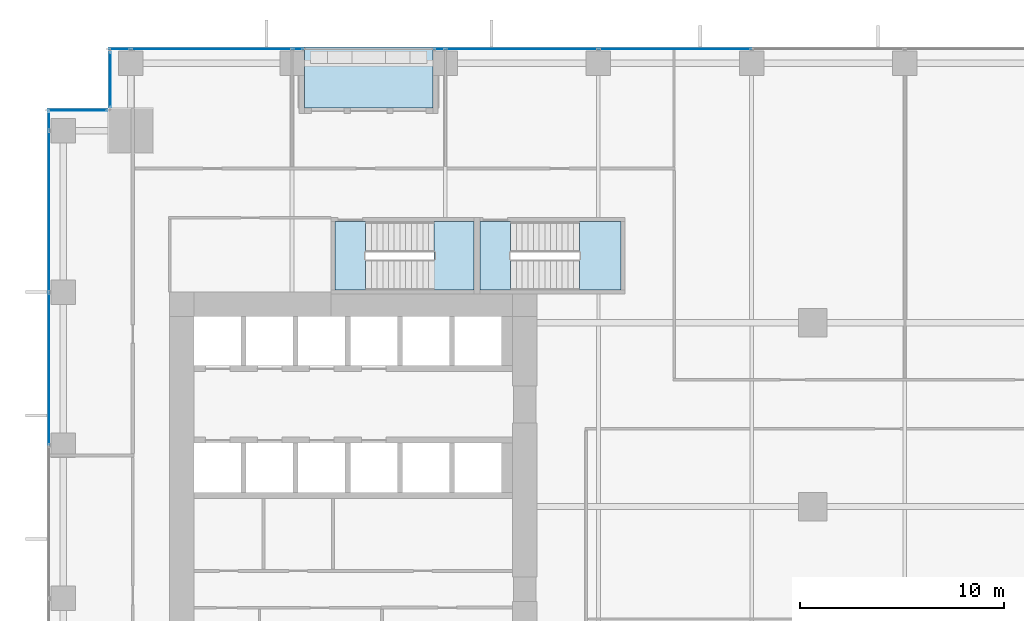
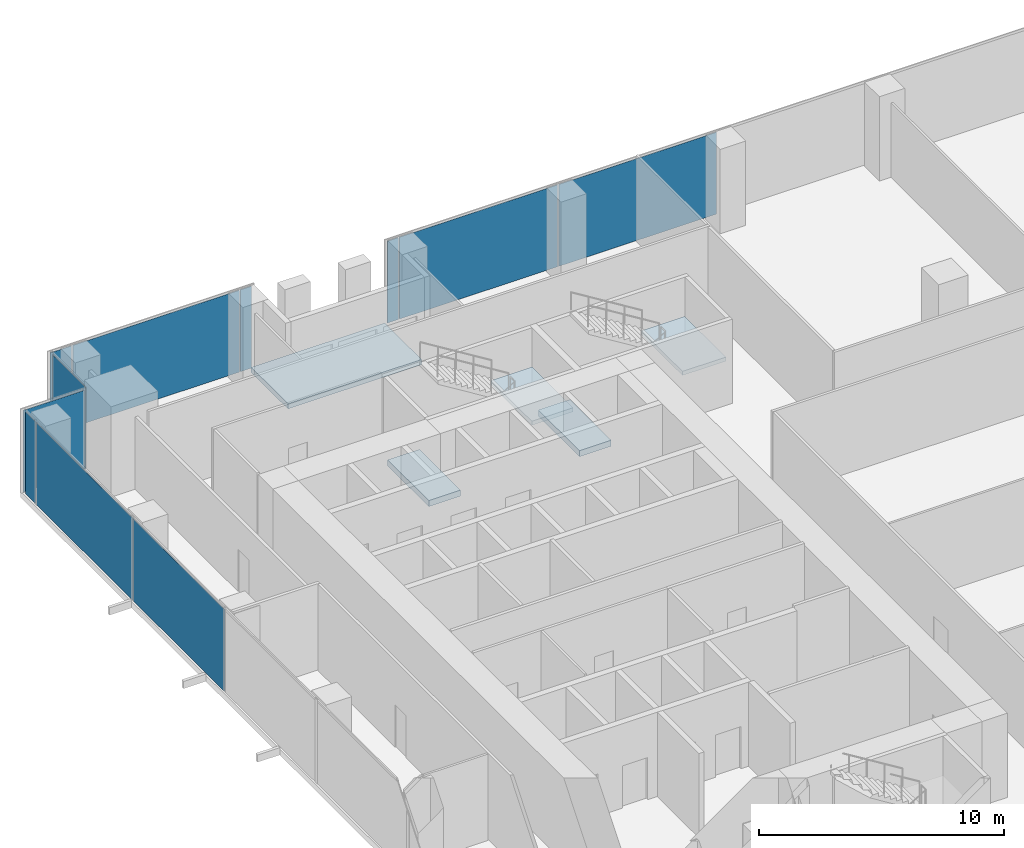
# One storey, part 24 of 32: 11 plates, 5 slabs, 7 elements without a shape of their own.
"""IFC4 building model written with IfcOpenShell, lengths in metres."""

import ifcopenshell
import ifcopenshell.guid

model = None  # the IFC model being written
_history = None  # IfcOwnerHistory: only IFC2X3 demands one
_inside = {}  # id of a spatial element -> (the spatial element, [elements in it])
_under = {}  # id of a project, library or spatial element -> (it, [spatial elements below it])
_declared = {}  # id of a project -> (the project, [libraries it declares])
_typed = {}  # id of a type object -> (the type object, [elements of that type])
_made_of = {}  # id of a material, layer set ... -> (it, [elements and type objects made of it])


def new_model(schema):
    """Start an empty IFC model of exactly this schema.

    Asked for "IFC4X3", IfcOpenShell would pick the latest addendum, in which some entities
    have other attributes; the version numbers below select the first issue.
    IFC2X3 requires an IfcOwnerHistory on every rooted entity: one is made here for all.
    """
    global model, _history
    if schema == "IFC4X3":
        model = ifcopenshell.file(schema_version=(4, 3, 0, 0))
    else:
        model = ifcopenshell.file(schema=schema)
    _inside.clear()
    _under.clear()
    _declared.clear()
    _typed.clear()
    _made_of.clear()
    _history = None
    if model.schema == "IFC2X3":
        org = make("IfcOrganization", Name="unknown")
        user = make(
            "IfcPersonAndOrganization",
            ThePerson=make("IfcPerson", FamilyName="unknown"),
            TheOrganization=org,
        )
        app = make(
            "IfcApplication",
            ApplicationDeveloper=org,
            Version="unknown",
            ApplicationFullName="unknown",
            ApplicationIdentifier="unknown",
        )
        _history = make(
            "IfcOwnerHistory",
            OwningUser=user,
            OwningApplication=app,
            ChangeAction="ADDED",
            CreationDate=0,
        )
    return model


def make(cls, **values):
    """One entity of the class cls with the attributes given. An attribute that is None is left unset."""
    return model.create_entity(
        cls, **{name: value for name, value in values.items() if value is not None}
    )


def rooted(cls, **values):
    """An entity with a GlobalId (a new one), such as an element, a storey or a relation."""
    return make(cls, GlobalId=ifcopenshell.guid.new(), OwnerHistory=_history, **values)


def si_unit(unit_type, name, prefix=None):
    """IfcSIUnit, for example si_unit("LENGTHUNIT", "METRE", prefix="MILLI")."""
    return make("IfcSIUnit", UnitType=unit_type, Prefix=prefix, Name=name)


def assignment(units):
    """IfcUnitAssignment: the units of a project."""
    return None if units is None else make("IfcUnitAssignment", Units=units)


def point(xyz):
    """IfcCartesianPoint."""
    return None if xyz is None else make("IfcCartesianPoint", Coordinates=xyz)


def direction(xyz):
    """IfcDirection."""
    return None if xyz is None else make("IfcDirection", DirectionRatios=xyz)


def frame(location, z_axis=None, x_axis=None):
    """IfcAxis2Placement3D, a coordinate frame: its origin and axes. An axis left out is left unset."""
    return make(
        "IfcAxis2Placement3D",
        Location=point(location),
        Axis=direction(z_axis),
        RefDirection=direction(x_axis),
    )


def frame_2d(location, x_axis=None):
    """IfcAxis2Placement2D, a coordinate frame in the plane: its origin and x axis."""
    return make(
        "IfcAxis2Placement2D", Location=point(location), RefDirection=direction(x_axis)
    )


def origin():
    """The frame at (0, 0, 0) with its axes left unset."""
    return frame((0.0, 0.0, 0.0))


def origin_2d():
    """The frame at (0, 0) in the plane with its x axis left unset."""
    return frame_2d((0.0, 0.0))


def place(relative_to, where):
    """IfcLocalPlacement: puts the frame where relative to a parent placement (None: the world)."""
    return make(
        "IfcLocalPlacement", PlacementRelTo=relative_to, RelativePlacement=where
    )


def context(
    kind, dimensions, precision=None, world=None, true_north=None, identifier=None
):
    """IfcGeometricRepresentationContext, for example the 3D "Model" context."""
    return make(
        "IfcGeometricRepresentationContext",
        ContextIdentifier=identifier,
        ContextType=kind,
        CoordinateSpaceDimension=dimensions,
        Precision=precision,
        WorldCoordinateSystem=world,
        TrueNorth=true_north,
    )


def subcontext(parent, identifier, kind, view, scale=None):
    """IfcGeometricRepresentationSubContext, for example "Body" below "Model"."""
    return make(
        "IfcGeometricRepresentationSubContext",
        ContextIdentifier=identifier,
        ContextType=kind,
        ParentContext=parent,
        TargetScale=scale,
        TargetView=view,
    )


def project(units=None, contexts=None):
    """IfcProject with its units and contexts."""
    return rooted(
        "IfcProject",
        Name="project",
        RepresentationContexts=contexts,
        UnitsInContext=assignment(units),
    )


def spatial(cls, under=None, at=None, **own):
    """A site, building, storey or space (cls), placed at a placement, below another one or the project."""
    s = rooted(cls, ObjectPlacement=at, **own)
    if under is not None:
        _under.setdefault(under.id(), (under, []))[1].append(s)
    return s


def polyline(points):
    """IfcPolyline through the points."""
    return make("IfcPolyline", Points=[point(p) for p in points])


def profile(cls, at=None, kind="AREA", **sizes):
    """A parametric profile (cls). Its sizes go by their IFC names, for example OverallWidth=200.0."""
    return make(cls, ProfileType=kind, Position=at, **sizes)


def rectangle(**sizes):
    """IfcRectangleProfileDef."""
    return profile("IfcRectangleProfileDef", **sizes)


def outline(outer, holes=None, kind="AREA"):
    """IfcArbitraryClosedProfileDef: a profile drawn as a closed curve; with holes, ...WithVoids."""
    if holes is None:
        return make("IfcArbitraryClosedProfileDef", ProfileType=kind, OuterCurve=outer)
    return make(
        "IfcArbitraryProfileDefWithVoids",
        ProfileType=kind,
        OuterCurve=outer,
        InnerCurves=holes,
    )


def extrude(swept, where, along, depth):
    """IfcExtrudedAreaSolid: the profile swept, set in the frame where, extruded along a direction by depth."""
    return make(
        "IfcExtrudedAreaSolid",
        SweptArea=swept,
        Position=where,
        ExtrudedDirection=direction(along),
        Depth=depth,
    )


def shape(context_of_items, identifier, shape_type, items):
    """IfcShapeRepresentation: the items that make up one representation, for example the "Body"."""
    return make(
        "IfcShapeRepresentation",
        ContextOfItems=context_of_items,
        RepresentationIdentifier=identifier,
        RepresentationType=shape_type,
        Items=items,
    )


def source(mapping_origin, context_of_items, identifier, shape_type, items):
    """IfcRepresentationMap: a shape defined once, which mapped items show again and again."""
    return make(
        "IfcRepresentationMap",
        MappingOrigin=mapping_origin,
        MappedRepresentation=shape(context_of_items, identifier, shape_type, items),
    )


def transform(
    local_origin,
    x_axis=None,
    y_axis=None,
    z_axis=None,
    scale=None,
    scale2=None,
    scale3=None,
    uniform=True,
):
    """IfcCartesianTransformationOperator3D, or its non-uniform kind. x_axis, y_axis, z_axis: its Axis1, 2, 3."""
    if uniform:
        return make(
            "IfcCartesianTransformationOperator3D",
            Axis1=direction(x_axis),
            Axis2=direction(y_axis),
            LocalOrigin=point(local_origin),
            Scale=scale,
            Axis3=direction(z_axis),
        )
    return make(
        "IfcCartesianTransformationOperator3DnonUniform",
        Axis1=direction(x_axis),
        Axis2=direction(y_axis),
        LocalOrigin=point(local_origin),
        Scale=scale,
        Axis3=direction(z_axis),
        Scale2=scale2,
        Scale3=scale3,
    )


def mapped(mapping_source, mapping_target):
    """IfcMappedItem: shows the shape of a source again, moved by a transform."""
    return make(
        "IfcMappedItem", MappingSource=mapping_source, MappingTarget=mapping_target
    )


def material(Name=None, Category=None):
    """IfcMaterial."""
    return make("IfcMaterial", Name=Name, Category=Category)


def layer(
    of_material, thickness, ventilated=None, Name=None, Category=None, Priority=None
):
    """IfcMaterialLayer: one layer of a wall or slab, of a material (None: an air gap)."""
    return make(
        "IfcMaterialLayer",
        Material=of_material,
        LayerThickness=thickness,
        IsVentilated=ventilated,
        Name=Name,
        Category=Category,
        Priority=Priority,
    )


def layer_set(layers, Name=None):
    """IfcMaterialLayerSet."""
    return make("IfcMaterialLayerSet", MaterialLayers=layers, LayerSetName=Name)


def made_of(thing, what):
    """Note that an element or type object is made of a material, layer set ...; save() writes the relation."""
    if what is not None:
        _made_of.setdefault(what.id(), (what, []))[1].append(thing)
    return thing


def type_object(cls, material=None, **own):
    """A type object (cls), such as IfcWallType, which elements share."""
    return made_of(rooted(cls, **own), material)


def element(
    cls,
    number,
    at=None,
    inside=None,
    cuts=None,
    type_object=None,
    material=None,
    context=None,
    identifier="Body",
    shape_type=None,
    held_by="IfcProductDefinitionShape",
    body=None,
    shapes=None,
    **own,
):
    """One element of the class cls, such as IfcWall. Its Tag is "e" and its number.

    at: its placement. inside: the storey or other place that contains it. cuts: it is an
    opening in that element (IfcRelVoidsElement). A single representation is given by context,
    identifier, shape_type and body (its items); several are given by shapes. held_by: the class
    of the entity that holds the representations. save() writes the other relations.
    """
    e = rooted(cls, Tag="e%d" % number, ObjectPlacement=at, **own)
    if body is not None:
        shapes = [shape(context, identifier, shape_type, body)]
    if shapes is not None:
        e.Representation = make(held_by, Representations=shapes)
    if inside is not None:
        _inside.setdefault(inside.id(), (inside, []))[1].append(e)
    if cuts is not None:
        rooted(
            "IfcRelVoidsElement", RelatingBuildingElement=cuts, RelatedOpeningElement=e
        )
    if type_object is not None:
        _typed.setdefault(type_object.id(), (type_object, []))[1].append(e)
    return made_of(e, material)


def aggregate(whole, parts):
    """IfcRelAggregates: a whole, such as a stair, and the parts it consists of."""
    return rooted("IfcRelAggregates", RelatingObject=whole, RelatedObjects=parts)


def save(model, path):
    """Write the relations noted so far, then the file.

    IfcRelAggregates (storeys below a building ...), IfcRelContainedInSpatialStructure (elements
    in a storey), IfcRelDefinesByType, IfcRelAssociatesMaterial and IfcRelDeclares: one each for
    every whole, place, type object, material and project.
    """
    for whole, parts in _under.values():
        aggregate(whole, parts)
    for where, things in _inside.values():
        rooted(
            "IfcRelContainedInSpatialStructure",
            RelatedElements=things,
            RelatingStructure=where,
        )
    for kind, things in _typed.values():
        rooted("IfcRelDefinesByType", RelatedObjects=things, RelatingType=kind)
    for what, things in _made_of.values():
        rooted("IfcRelAssociatesMaterial", RelatedObjects=things, RelatingMaterial=what)
    for by, libraries in _declared.values():
        rooted("IfcRelDeclares", RelatingContext=by, RelatedDefinitions=libraries)
    model.write(path)


model = new_model("IFC4")

# Units and contexts
model_context = context("Model", 3, precision=1e-05, world=origin(), true_north=direction((0.0, 1.0)))
body_context = subcontext(model_context, "Body", "Model", "MODEL_VIEW")
ifc_project = project(units=[si_unit("LENGTHUNIT", "METRE"), si_unit("AREAUNIT", "SQUARE_METRE"), si_unit("VOLUMEUNIT", "CUBIC_METRE"), si_unit("PLANEANGLEUNIT", "RADIAN"), si_unit("MASSUNIT", "GRAM", prefix="KILO")], contexts=[model_context])

# Site, building, storey
site_placement = place(None, origin())
site = spatial("IfcSite", under=ifc_project, at=site_placement, CompositionType="ELEMENT")
building_placement = place(site_placement, origin())
building = spatial("IfcBuilding", under=site, at=building_placement, Name="Khomas Fold Tower", CompositionType="ELEMENT")
storey_placement = place(building_placement, frame((0.0, 0.0, 42.0)))
storey = spatial("IfcBuildingStorey", under=building, at=storey_placement, Name="L08", CompositionType="ELEMENT", Elevation=42.0)

# Curtain wall, plate
ifc_material_1 = material(Name="Aluminium framed double glazing", Category="aluminium")
curtain_wall_type = type_object("IfcCurtainWallType", Name="SK-Unitised clear-glass wall, growing floors CW1", PredefinedType="NOTDEFINED", material=ifc_material_1)
curtain_wall_1_placement = place(storey_placement, origin())
curtain_wall_1 = element("IfcCurtainWall", 1, at=curtain_wall_1_placement, inside=storey, type_object=curtain_wall_type, Name="CW1 run L08 09-0", PredefinedType="NOTDEFINED")
ifc_material_2 = material(Name="Clear double glazed unit")
ifc_layer_1 = layer(ifc_material_2, 0.031982421875)
ifc_layer_set_1 = layer_set([ifc_layer_1], Name="Clear double glazed unit")
plate_type = type_object("IfcPlateType", Name="SK-Unitised clear-glass wall, growing floors glass panel CW1-P", PredefinedType="CURTAIN_PANEL", material=ifc_layer_set_1)
shared_shape_1 = source(origin(), body_context, "Body", "SweptSolid", [
    extrude(rectangle(XDim=0.81005859375, YDim=0.031982421875, at=origin_2d()), origin(), (0.0, 0.0, 1.0), 4.080078125),
])
plate_1_placement = place(storey_placement, frame((0.10009765625, 50.3349609375, 0.0), z_axis=(0.0, 0.0, 1.0), x_axis=(0.0, -1.0, 0.0)))
plate_1 = element("IfcPlate", 2, at=plate_1_placement, type_object=plate_type, Name="CW1 glass panel 1", PredefinedType="CURTAIN_PANEL", context=body_context, shape_type="MappedRepresentation", body=[
    mapped(shared_shape_1, transform((0.0, 0.0, 0.0))),
])

curtain_wall_2_placement = place(storey_placement, origin())
curtain_wall_2 = element("IfcCurtainWall", 3, at=curtain_wall_2_placement, inside=storey, type_object=curtain_wall_type, Name="CW1 run L08 06-1", PredefinedType="NOTDEFINED")
shared_shape_2 = source(origin(), body_context, "Body", "SweptSolid", [
    extrude(rectangle(XDim=7.840087890625, YDim=0.031982421875, at=origin_2d()), origin(), (0.0, 0.0, 1.0), 4.080078125),
])
plate_2_placement = place(storey_placement, frame((8.050048828125, 53.89990234375, 0.0), z_axis=(0.0, 0.0, 1.0), x_axis=(-1.0, 0.0, 0.0)))
plate_2 = element("IfcPlate", 4, at=plate_2_placement, type_object=plate_type, Name="CW1 glass panel 2", PredefinedType="CURTAIN_PANEL", context=body_context, shape_type="MappedRepresentation", body=[
    mapped(shared_shape_2, transform((0.0, 0.0, 0.0))),
])

# Plate
plate_3_placement = place(storey_placement, frame((0.10009765625, 45.949951171875, 0.0), z_axis=(0.0, 0.0, 1.0), x_axis=(0.0, -1.0, 0.0)))
plate_3 = element("IfcPlate", 5, at=plate_3_placement, type_object=plate_type, Name="CW1 glass panel 2", PredefinedType="CURTAIN_PANEL", context=body_context, shape_type="MappedRepresentation", body=[
    mapped(shared_shape_2, transform((0.0, 0.0, 0.0))),
])

# Curtain wall, plates
curtain_wall_3_placement = place(storey_placement, origin())
curtain_wall_3 = element("IfcCurtainWall", 6, at=curtain_wall_3_placement, inside=storey, type_object=curtain_wall_type, Name="CW1 run L08 06-0", PredefinedType="NOTDEFINED")
shared_shape_3 = source(origin(), body_context, "Body", "SweptSolid", [
    extrude(rectangle(XDim=7.43994140625, YDim=0.031982421875, at=origin_2d()), origin(), (0.0, 0.0, 1.0), 4.080078125),
])
plate_4_placement = place(storey_placement, frame((30.75, 53.89990234375, 0.0), z_axis=(0.0, 0.0, 1.0), x_axis=(-1.0, 0.0, 0.0)))
plate_4 = element("IfcPlate", 7, at=plate_4_placement, type_object=plate_type, Name="CW1 glass panel 4", PredefinedType="CURTAIN_PANEL", context=body_context, shape_type="MappedRepresentation", body=[
    mapped(shared_shape_3, transform((0.0, 0.0, 0.0))),
])
plate_5_placement = place(storey_placement, frame((23.25, 53.89990234375, 0.0), z_axis=(0.0, 0.0, 1.0), x_axis=(-1.0, 0.0, 0.0)))
plate_5 = element("IfcPlate", 8, at=plate_5_placement, type_object=plate_type, Name="CW1 glass panel 5", PredefinedType="CURTAIN_PANEL", context=body_context, shape_type="MappedRepresentation", body=[
    mapped(shared_shape_3, transform((0.0, 0.0, 0.0))),
])

# Plate
plate_6_placement = place(storey_placement, frame((0.10009765625, 38.25, 0.0), z_axis=(0.0, 0.0, 1.0), x_axis=(0.0, -1.0, 0.0)))
plate_6 = element("IfcPlate", 9, at=plate_6_placement, type_object=plate_type, Name="CW1 glass panel 3", PredefinedType="CURTAIN_PANEL", context=body_context, shape_type="MappedRepresentation", body=[
    mapped(shared_shape_3, transform((0.0, 0.0, 0.0))),
])

aggregate(curtain_wall_1, [plate_1, plate_3, plate_6])

shared_shape_4 = source(origin(), body_context, "Body", "SweptSolid", [
    extrude(rectangle(XDim=1.010009765625, YDim=0.031982421875, at=origin_2d()), origin(), (0.0, 0.0, 1.0), 4.080078125),
])
plate_7_placement = place(storey_placement, frame((3.56494140625, 53.89990234375, 0.0), z_axis=(0.0, 0.0, 1.0), x_axis=(-1.0, 0.0, 0.0)))
plate_7 = element("IfcPlate", 10, at=plate_7_placement, type_object=plate_type, Name="CW1 glass panel 3", PredefinedType="CURTAIN_PANEL", context=body_context, shape_type="MappedRepresentation", body=[
    mapped(shared_shape_4, transform((0.0, 0.0, 0.0))),
])

# Curtain wall, plate
curtain_wall_4_placement = place(storey_placement, origin())
curtain_wall_4 = element("IfcCurtainWall", 11, at=curtain_wall_4_placement, inside=storey, type_object=curtain_wall_type, Name="CW1 corner return L08 07", PredefinedType="NOTDEFINED")
shared_shape_5 = source(origin(), body_context, "Body", "SweptSolid", [
    extrude(rectangle(XDim=2.679931640625, YDim=0.031982421875, at=origin_2d()), origin(), (0.0, 0.0, 1.0), 4.080078125),
])
plate_8_placement = place(storey_placement, frame((3.10009765625, 52.39990234375, 0.0), z_axis=(0.0, 0.0, 1.0), x_axis=(0.0, -1.0, 0.0)))
plate_8 = element("IfcPlate", 12, at=plate_8_placement, type_object=plate_type, Name="CW1 glass panel 1", PredefinedType="CURTAIN_PANEL", context=body_context, shape_type="MappedRepresentation", body=[
    mapped(shared_shape_5, transform((0.0, 0.0, 0.0))),
])
aggregate(curtain_wall_4, [plate_8])

curtain_wall_5_placement = place(storey_placement, origin())
curtain_wall_5 = element("IfcCurtainWall", 13, at=curtain_wall_5_placement, inside=storey, type_object=curtain_wall_type, Name="CW1 corner return L08 08", PredefinedType="NOTDEFINED")
shared_shape_6 = source(origin(), body_context, "Body", "SweptSolid", [
    extrude(rectangle(XDim=2.8798828125, YDim=0.031982421875, at=origin_2d()), origin(), (0.0, 0.0, 1.0), 4.080078125),
])
plate_9_placement = place(storey_placement, frame((1.5, 50.89990234375, 0.0), z_axis=(0.0, 0.0, 1.0), x_axis=(-1.0, 0.0, 0.0)))
plate_9 = element("IfcPlate", 14, at=plate_9_placement, type_object=plate_type, Name="CW1 glass panel 1", PredefinedType="CURTAIN_PANEL", context=body_context, shape_type="MappedRepresentation", body=[
    mapped(shared_shape_6, transform((0.0, 0.0, 0.0))),
])
aggregate(curtain_wall_5, [plate_9])

# Plate
shared_shape_7 = source(origin(), body_context, "Body", "SweptSolid", [
    extrude(rectangle(XDim=0.510009765625, YDim=0.031982421875, at=origin_2d()), origin(), (0.0, 0.0, 1.0), 4.080078125),
])
plate_10_placement = place(storey_placement, frame((19.215087890625, 53.89990234375, 0.0), z_axis=(0.0, 0.0, 1.0), x_axis=(-1.0, 0.0, 0.0)))
plate_10 = element("IfcPlate", 15, at=plate_10_placement, type_object=plate_type, Name="CW1 glass panel 6", PredefinedType="CURTAIN_PANEL", context=body_context, shape_type="MappedRepresentation", body=[
    mapped(shared_shape_7, transform((0.0, 0.0, 0.0))),
])

aggregate(curtain_wall_3, [plate_4, plate_5, plate_10])

plate_11_placement = place(storey_placement, frame((12.284912109375, 53.89990234375, 0.0), z_axis=(0.0, 0.0, 1.0), x_axis=(-1.0, 0.0, 0.0)))
plate_11 = element("IfcPlate", 16, at=plate_11_placement, type_object=plate_type, Name="CW1 glass panel 1", PredefinedType="CURTAIN_PANEL", context=body_context, shape_type="MappedRepresentation", body=[
    mapped(shared_shape_7, transform((0.0, 0.0, 0.0))),
])

aggregate(curtain_wall_2, [plate_11, plate_2, plate_7])

# Slab
ifc_material_3 = material(Name="Concrete C40/50", Category="concrete")
ifc_layer_2 = layer(ifc_material_3, 0.2548828125)
ifc_layer_set_2 = layer_set([ifc_layer_2], Name="Concrete C40/50")
slab_type_1 = type_object("IfcSlabType", Name="BL-Balcony deck 255", PredefinedType="FLOOR", material=ifc_layer_set_2)
shared_shape_8 = source(origin(), body_context, "Body", "SweptSolid", [
    extrude(outline(polyline([(12.60009765625, 51.0), (18.89990234375, 51.0), (18.89990234375, 54.0), (12.60009765625, 54.0), (12.60009765625, 51.0)])), origin(), (0.0, 0.0, 1.0), 0.255126953125),
])
slab_1_placement = place(storey_placement, frame((0.0, 0.0, -0.300048828125)))
element("IfcSlab", 17, at=slab_1_placement, inside=storey, type_object=slab_type_1, Name="Balcony deck BAL-L08-N1", PredefinedType="FLOOR", context=body_context, shape_type="MappedRepresentation", body=[
    mapped(shared_shape_8, transform((0.0, 0.0, 0.0))),
])

# Stair, slab
ifc_material_4 = material(Name="Concrete C40/50", Category="concrete")
stair_type_1 = type_object("IfcStairType", Name="Stair ST1", PredefinedType="HALF_TURN_STAIR", material=ifc_material_4)
stair_1_placement = place(storey_placement, origin())
stair_1 = element("IfcStair", 18, at=stair_1_placement, inside=storey, type_object=stair_type_1, Name="L08 ST1", PredefinedType="HALF_TURN_STAIR")
ifc_material_5 = material(Name="Concrete C40/50", Category="concrete")
ifc_layer_3 = layer(ifc_material_5, 0.199951171875)
ifc_layer_set_3 = layer_set([ifc_layer_3], Name="Concrete C40/50")
slab_type_2 = type_object("IfcSlabType", Name="Stair landing 200", PredefinedType="LANDING", material=ifc_layer_set_3)
shared_shape_9 = source(origin(), body_context, "Body", "SweptSolid", [
    extrude(outline(polyline([(18.9599609375, 42.10009765625), (20.89990234375, 42.10009765625), (20.89990234375, 45.449951171875), (18.9599609375, 45.449951171875), (18.9599609375, 42.10009765625)])), origin(), (0.0, 0.0, 1.0), 0.199951171875),
])
slab_2_placement = place(storey_placement, frame((0.0, 0.0, 2.050048828125)))
slab_2 = element("IfcSlab", 19, at=slab_2_placement, type_object=slab_type_2, Name="ST1 landing 1", PredefinedType="LANDING", context=body_context, shape_type="MappedRepresentation", body=[
    mapped(shared_shape_9, transform((0.0, 0.0, 0.0))),
])
aggregate(stair_1, [slab_2])

# Slab
ifc_material_6 = material(Name="Concrete C40/50", Category="concrete")
ifc_layer_4 = layer(ifc_material_6, 0.300048828125)
ifc_layer_set_4 = layer_set([ifc_layer_4], Name="Concrete C40/50")
slab_type_3 = type_object("IfcSlabType", Name="Stair floor landing 300", PredefinedType="LANDING", material=ifc_layer_set_4)
shared_shape_10 = source(origin(), body_context, "Body", "SweptSolid", [
    extrude(outline(polyline([(15.60009765625, 42.10009765625), (14.10009765625, 42.10009765625), (14.10009765625, 45.449951171875), (15.60009765625, 45.449951171875), (15.60009765625, 42.10009765625)])), origin(), (0.0, 0.0, 1.0), 0.300048828125),
])
slab_3_placement = place(storey_placement, frame((0.0, 0.0, -0.300048828125)))
element("IfcSlab", 20, at=slab_3_placement, inside=storey, type_object=slab_type_3, Name="ST1 floor landing", PredefinedType="LANDING", context=body_context, shape_type="MappedRepresentation", body=[
    mapped(shared_shape_10, transform((0.0, 0.0, 0.0))),
])

# Stair, slab
ifc_material_7 = material(Name="Concrete C40/50", Category="concrete")
stair_type_2 = type_object("IfcStairType", Name="Stair ST3", PredefinedType="HALF_TURN_STAIR", material=ifc_material_7)
stair_2_placement = place(storey_placement, origin())
stair_2 = element("IfcStair", 21, at=stair_2_placement, inside=storey, type_object=stair_type_2, Name="L08 ST3", PredefinedType="HALF_TURN_STAIR")
shared_shape_11 = source(origin(), body_context, "Body", "SweptSolid", [
    extrude(outline(polyline([(26.06005859375, 42.10009765625), (28.10009765625, 42.10009765625), (28.10009765625, 45.449951171875), (26.06005859375, 45.449951171875), (26.06005859375, 42.10009765625)])), origin(), (0.0, 0.0, 1.0), 0.199951171875),
])
slab_4_placement = place(storey_placement, frame((0.0, 0.0, 2.050048828125)))
slab_4 = element("IfcSlab", 22, at=slab_4_placement, type_object=slab_type_2, Name="ST3 landing 1", PredefinedType="LANDING", context=body_context, shape_type="MappedRepresentation", body=[
    mapped(shared_shape_11, transform((0.0, 0.0, 0.0))),
])
aggregate(stair_2, [slab_4])

# Slab
shared_shape_12 = source(origin(), body_context, "Body", "SweptSolid", [
    extrude(outline(polyline([(22.699951171875, 42.10009765625), (21.199951171875, 42.10009765625), (21.199951171875, 45.449951171875), (22.699951171875, 45.449951171875), (22.699951171875, 42.10009765625)])), origin(), (0.0, 0.0, 1.0), 0.300048828125),
])
slab_5_placement = place(storey_placement, frame((0.0, 0.0, -0.300048828125)))
element("IfcSlab", 23, at=slab_5_placement, inside=storey, type_object=slab_type_3, Name="ST3 floor landing", PredefinedType="LANDING", context=body_context, shape_type="MappedRepresentation", body=[
    mapped(shared_shape_12, transform((0.0, 0.0, 0.0))),
])

save(model, "model.ifc")
